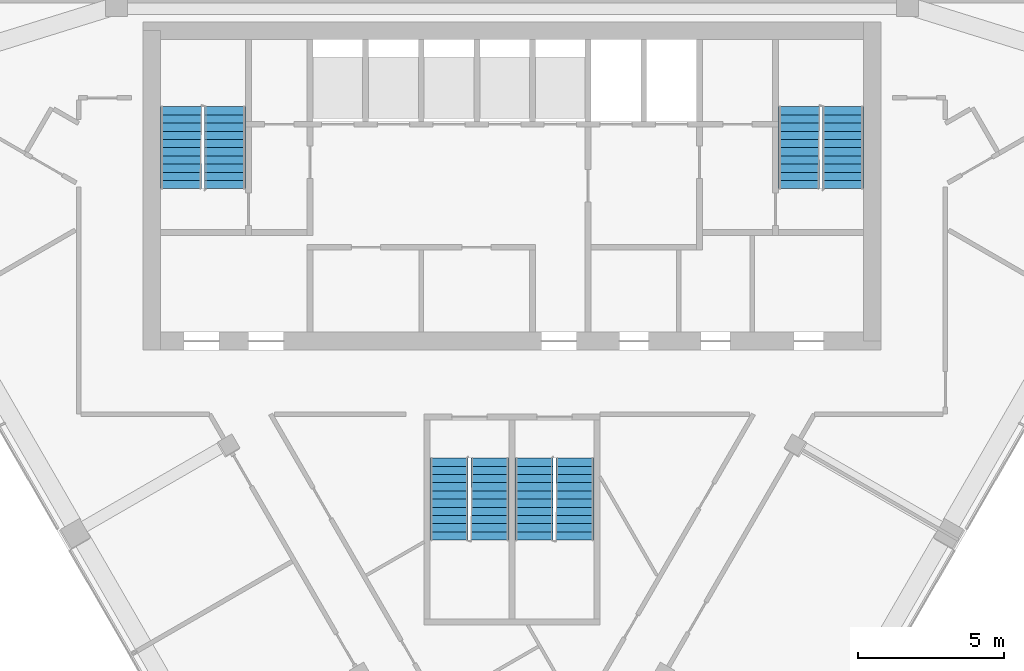
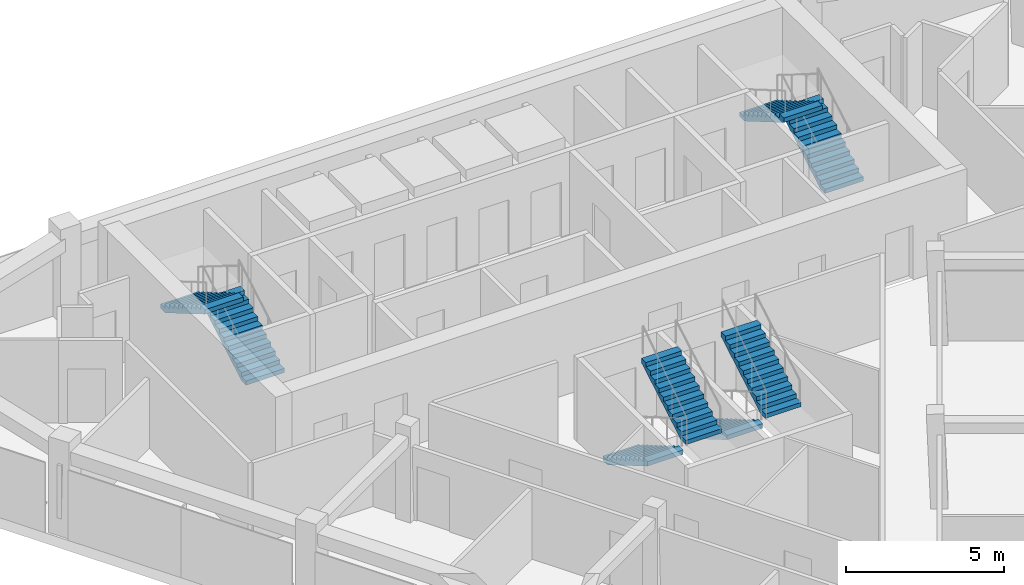
# One storey, part 10 of 12: 8 stair flights, 4 elements without a shape of their own.
"""IFC4 building model written with IfcOpenShell, lengths in metres."""

from ifc_helpers import new_model, si_unit, direction, frame, origin, place, context, subcontext, project, spatial, polyline, outline, extrude, material, type_object, element, aggregate, save


model = new_model("IFC4")

# Units and contexts
model_context = context("Model", 3, precision=1e-05, world=origin(), true_north=direction((0.0, 1.0)))
body_context = subcontext(model_context, "Body", "Model", "MODEL_VIEW")
ifc_project = project(units=[si_unit("LENGTHUNIT", "METRE"), si_unit("AREAUNIT", "SQUARE_METRE"), si_unit("VOLUMEUNIT", "CUBIC_METRE"), si_unit("PLANEANGLEUNIT", "RADIAN"), si_unit("MASSUNIT", "GRAM", prefix="KILO")], contexts=[model_context])

# Site, building, storey
site_placement = place(None, origin())
site = spatial("IfcSite", under=ifc_project, at=site_placement, CompositionType="ELEMENT")
building_placement = place(site_placement, origin())
building = spatial("IfcBuilding", under=site, at=building_placement, Name="Altiplano Prism Tower", CompositionType="ELEMENT")
storey_placement = place(building_placement, frame((0.0, 0.0, 257.199951171875)))
storey = spatial("IfcBuildingStorey", under=building, at=storey_placement, Name="L66", CompositionType="ELEMENT", Elevation=257.199951171875)

# Stair, stair flights
ifc_material = material(Name="Concrete C40/50", Category="concrete")
stair_type_1 = type_object("IfcStairType", Name="Exit stair 1400", PredefinedType="HALF_TURN_STAIR", material=ifc_material)
stair_1_placement = place(storey_placement, origin())
stair_1 = element("IfcStair", 1, at=stair_1_placement, inside=storey, type_object=stair_type_1, Name="L66 Exit Stair 1", PredefinedType="HALF_TURN_STAIR")
stair_flight_type = type_object("IfcStairFlightType", Name="Stair flight concrete 150", PredefinedType="STRAIGHT", material=ifc_material)
stair_flight_1_placement = place(storey_placement, frame((75.199951171875, 98.300048828125, 0.0), z_axis=(0.0, 0.0, 1.0), x_axis=(0.0, 1.0, 0.0)))
stair_flight_1 = element("IfcStairFlight", 2, at=stair_flight_1_placement, type_object=stair_flight_type, Name="ST1 flight 1", NumberOfRisers=11, NumberOfTreads=10, PredefinedType="STRAIGHT", RiserHeight=0.163636364, TreadLength=0.28, context=body_context, shape_type="SweptSolid", body=[
    extrude(outline(polyline([(0.0, 0.0), (0.0, 0.16357421875), (0.280029296875, 0.16357421875), (0.280029296875, 0.327392578125), (0.56005859375, 0.327392578125), (0.56005859375, 0.490966796875), (0.840087890625, 0.490966796875), (0.840087890625, 0.654541015625), (1.1201171875, 0.654541015625), (1.1201171875, 0.818115234375), (1.39990234375, 0.818115234375), (1.39990234375, 0.98193359375), (1.679931640625, 0.98193359375), (1.679931640625, 1.1455078125), (1.9599609375, 1.1455078125), (1.9599609375, 1.30908203125), (2.239990234375, 1.30908203125), (2.239990234375, 1.47265625), (2.52001953125, 1.47265625), (2.52001953125, 1.636474609375), (2.800048828125, 1.636474609375), (2.800048828125, 1.800048828125), (2.800048828125, 1.462646484375), (0.297119140625, 0.0), (0.0, 0.0)])), frame((0.0, 0.699951171875, 0.0), z_axis=(0.0, -1.0, 0.0), x_axis=(1.0, 0.0, 0.0)), (0.0, 0.0, 1.0), 1.39990234375),
])
stair_flight_2_placement = place(storey_placement, frame((73.699951171875, 101.10009765625, 1.800048828125), z_axis=(0.0, 0.0, 1.0), x_axis=(0.0, -1.0, 0.0)))
stair_flight_2 = element("IfcStairFlight", 3, at=stair_flight_2_placement, type_object=stair_flight_type, Name="ST1 flight 2", NumberOfRisers=11, NumberOfTreads=10, PredefinedType="STRAIGHT", RiserHeight=0.163636364, TreadLength=0.28, context=body_context, shape_type="SweptSolid", body=[
    extrude(outline(polyline([(0.0, 0.0), (0.0, 0.16357421875), (0.280029296875, 0.16357421875), (0.280029296875, 0.327392578125), (0.56005859375, 0.327392578125), (0.56005859375, 0.490966796875), (0.840087890625, 0.490966796875), (0.840087890625, 0.654541015625), (1.1201171875, 0.654541015625), (1.1201171875, 0.818115234375), (1.39990234375, 0.818115234375), (1.39990234375, 0.98193359375), (1.679931640625, 0.98193359375), (1.679931640625, 1.1455078125), (1.9599609375, 1.1455078125), (1.9599609375, 1.30908203125), (2.239990234375, 1.30908203125), (2.239990234375, 1.47265625), (2.52001953125, 1.47265625), (2.52001953125, 1.636474609375), (2.800048828125, 1.636474609375), (2.800048828125, 1.800048828125), (2.800048828125, 1.462646484375), (0.297119140625, 0.0), (0.0, 0.0)])), frame((0.0, 0.699951171875, 0.0), z_axis=(0.0, -1.0, 0.0), x_axis=(1.0, 0.0, 0.0)), (0.0, 0.0, 1.0), 1.39990234375),
])
aggregate(stair_1, [stair_flight_1, stair_flight_2])

stair_2_placement = place(storey_placement, origin())
stair_2 = element("IfcStair", 4, at=stair_2_placement, inside=storey, type_object=stair_type_1, Name="L66 Exit Stair 2", PredefinedType="HALF_TURN_STAIR")
stair_flight_3_placement = place(storey_placement, frame((96.300048828125, 98.300048828125, 0.0), z_axis=(0.0, 0.0, 1.0), x_axis=(0.0, 1.0, 0.0)))
stair_flight_3 = element("IfcStairFlight", 5, at=stair_flight_3_placement, type_object=stair_flight_type, Name="ST2 flight 1", NumberOfRisers=11, NumberOfTreads=10, PredefinedType="STRAIGHT", RiserHeight=0.163636364, TreadLength=0.28, context=body_context, shape_type="SweptSolid", body=[
    extrude(outline(polyline([(0.0, 0.0), (0.0, 0.16357421875), (0.280029296875, 0.16357421875), (0.280029296875, 0.327392578125), (0.56005859375, 0.327392578125), (0.56005859375, 0.490966796875), (0.840087890625, 0.490966796875), (0.840087890625, 0.654541015625), (1.1201171875, 0.654541015625), (1.1201171875, 0.818115234375), (1.39990234375, 0.818115234375), (1.39990234375, 0.98193359375), (1.679931640625, 0.98193359375), (1.679931640625, 1.1455078125), (1.9599609375, 1.1455078125), (1.9599609375, 1.30908203125), (2.239990234375, 1.30908203125), (2.239990234375, 1.47265625), (2.52001953125, 1.47265625), (2.52001953125, 1.636474609375), (2.800048828125, 1.636474609375), (2.800048828125, 1.800048828125), (2.800048828125, 1.462646484375), (0.297119140625, 0.0), (0.0, 0.0)])), frame((0.0, 0.699951171875, 0.0), z_axis=(0.0, -1.0, 0.0), x_axis=(1.0, 0.0, 0.0)), (0.0, 0.0, 1.0), 1.39990234375),
])
stair_flight_4_placement = place(storey_placement, frame((94.800048828125, 101.10009765625, 1.800048828125), z_axis=(0.0, 0.0, 1.0), x_axis=(0.0, -1.0, 0.0)))
stair_flight_4 = element("IfcStairFlight", 6, at=stair_flight_4_placement, type_object=stair_flight_type, Name="ST2 flight 2", NumberOfRisers=11, NumberOfTreads=10, PredefinedType="STRAIGHT", RiserHeight=0.163636364, TreadLength=0.28, context=body_context, shape_type="SweptSolid", body=[
    extrude(outline(polyline([(0.0, 0.0), (0.0, 0.16357421875), (0.280029296875, 0.16357421875), (0.280029296875, 0.327392578125), (0.56005859375, 0.327392578125), (0.56005859375, 0.490966796875), (0.840087890625, 0.490966796875), (0.840087890625, 0.654541015625), (1.1201171875, 0.654541015625), (1.1201171875, 0.818115234375), (1.39990234375, 0.818115234375), (1.39990234375, 0.98193359375), (1.679931640625, 0.98193359375), (1.679931640625, 1.1455078125), (1.9599609375, 1.1455078125), (1.9599609375, 1.30908203125), (2.239990234375, 1.30908203125), (2.239990234375, 1.47265625), (2.52001953125, 1.47265625), (2.52001953125, 1.636474609375), (2.800048828125, 1.636474609375), (2.800048828125, 1.800048828125), (2.800048828125, 1.462646484375), (0.297119140625, 0.0), (0.0, 0.0)])), frame((0.0, 0.699951171875, 0.0), z_axis=(0.0, -1.0, 0.0), x_axis=(1.0, 0.0, 0.0)), (0.0, 0.0, 1.0), 1.39990234375),
])
aggregate(stair_2, [stair_flight_3, stair_flight_4])

stair_type_2 = type_object("IfcStairType", Name="Exit stair 1300", PredefinedType="HALF_TURN_STAIR", material=ifc_material)
stair_3_placement = place(storey_placement, origin())
stair_3 = element("IfcStair", 7, at=stair_3_placement, inside=storey, type_object=stair_type_2, Name="L66 Exit Stair 3A", PredefinedType="HALF_TURN_STAIR")
stair_flight_5_placement = place(storey_placement, frame((82.85009765625, 89.10009765625, 0.0), z_axis=(0.0, 0.0, 1.0), x_axis=(0.0, -1.0, 0.0)))
stair_flight_5 = element("IfcStairFlight", 8, at=stair_flight_5_placement, type_object=stair_flight_type, Name="ST3A flight 1", NumberOfRisers=11, NumberOfTreads=10, PredefinedType="STRAIGHT", RiserHeight=0.163636364, TreadLength=0.28, context=body_context, shape_type="SweptSolid", body=[
    extrude(outline(polyline([(0.0, 0.0), (0.0, 0.16357421875), (0.280029296875, 0.16357421875), (0.280029296875, 0.327392578125), (0.56005859375, 0.327392578125), (0.56005859375, 0.490966796875), (0.840087890625, 0.490966796875), (0.840087890625, 0.654541015625), (1.1201171875, 0.654541015625), (1.1201171875, 0.818115234375), (1.39990234375, 0.818115234375), (1.39990234375, 0.98193359375), (1.679931640625, 0.98193359375), (1.679931640625, 1.1455078125), (1.9599609375, 1.1455078125), (1.9599609375, 1.30908203125), (2.239990234375, 1.30908203125), (2.239990234375, 1.47265625), (2.52001953125, 1.47265625), (2.52001953125, 1.636474609375), (2.800048828125, 1.636474609375), (2.800048828125, 1.800048828125), (2.800048828125, 1.462646484375), (0.297119140625, 0.0), (0.0, 0.0)])), frame((0.0, 0.64990234375, 0.0), z_axis=(0.0, -1.0, 0.0), x_axis=(1.0, 0.0, 0.0)), (0.0, 0.0, 1.0), 1.300048828125),
])
stair_flight_6_placement = place(storey_placement, frame((84.25, 86.300048828125, 1.800048828125), z_axis=(0.0, 0.0, 1.0), x_axis=(0.0, 1.0, 0.0)))
stair_flight_6 = element("IfcStairFlight", 9, at=stair_flight_6_placement, type_object=stair_flight_type, Name="ST3A flight 2", NumberOfRisers=11, NumberOfTreads=10, PredefinedType="STRAIGHT", RiserHeight=0.163636364, TreadLength=0.28, context=body_context, shape_type="SweptSolid", body=[
    extrude(outline(polyline([(0.0, 0.0), (0.0, 0.16357421875), (0.280029296875, 0.16357421875), (0.280029296875, 0.327392578125), (0.56005859375, 0.327392578125), (0.56005859375, 0.490966796875), (0.840087890625, 0.490966796875), (0.840087890625, 0.654541015625), (1.1201171875, 0.654541015625), (1.1201171875, 0.818115234375), (1.39990234375, 0.818115234375), (1.39990234375, 0.98193359375), (1.679931640625, 0.98193359375), (1.679931640625, 1.1455078125), (1.9599609375, 1.1455078125), (1.9599609375, 1.30908203125), (2.239990234375, 1.30908203125), (2.239990234375, 1.47265625), (2.52001953125, 1.47265625), (2.52001953125, 1.636474609375), (2.800048828125, 1.636474609375), (2.800048828125, 1.800048828125), (2.800048828125, 1.462646484375), (0.297119140625, 0.0), (0.0, 0.0)])), frame((0.0, 0.64990234375, 0.0), z_axis=(0.0, -1.0, 0.0), x_axis=(1.0, 0.0, 0.0)), (0.0, 0.0, 1.0), 1.300048828125),
])
aggregate(stair_3, [stair_flight_5, stair_flight_6])

stair_4_placement = place(storey_placement, origin())
stair_4 = element("IfcStair", 10, at=stair_4_placement, inside=storey, type_object=stair_type_2, Name="L66 Exit Stair 3B", PredefinedType="HALF_TURN_STAIR")
stair_flight_7_placement = place(storey_placement, frame((85.75, 89.10009765625, 0.0), z_axis=(0.0, 0.0, 1.0), x_axis=(0.0, -1.0, 0.0)))
stair_flight_7 = element("IfcStairFlight", 11, at=stair_flight_7_placement, type_object=stair_flight_type, Name="ST3B flight 1", NumberOfRisers=11, NumberOfTreads=10, PredefinedType="STRAIGHT", RiserHeight=0.163636364, TreadLength=0.28, context=body_context, shape_type="SweptSolid", body=[
    extrude(outline(polyline([(0.0, 0.0), (0.0, 0.16357421875), (0.280029296875, 0.16357421875), (0.280029296875, 0.327392578125), (0.56005859375, 0.327392578125), (0.56005859375, 0.490966796875), (0.840087890625, 0.490966796875), (0.840087890625, 0.654541015625), (1.1201171875, 0.654541015625), (1.1201171875, 0.818115234375), (1.39990234375, 0.818115234375), (1.39990234375, 0.98193359375), (1.679931640625, 0.98193359375), (1.679931640625, 1.1455078125), (1.9599609375, 1.1455078125), (1.9599609375, 1.30908203125), (2.239990234375, 1.30908203125), (2.239990234375, 1.47265625), (2.52001953125, 1.47265625), (2.52001953125, 1.636474609375), (2.800048828125, 1.636474609375), (2.800048828125, 1.800048828125), (2.800048828125, 1.462646484375), (0.297119140625, 0.0), (0.0, 0.0)])), frame((0.0, 0.64990234375, 0.0), z_axis=(0.0, -1.0, 0.0), x_axis=(1.0, 0.0, 0.0)), (0.0, 0.0, 1.0), 1.300048828125),
])
stair_flight_8_placement = place(storey_placement, frame((87.14990234375, 86.300048828125, 1.800048828125), z_axis=(0.0, 0.0, 1.0), x_axis=(0.0, 1.0, 0.0)))
stair_flight_8 = element("IfcStairFlight", 12, at=stair_flight_8_placement, type_object=stair_flight_type, Name="ST3B flight 2", NumberOfRisers=11, NumberOfTreads=10, PredefinedType="STRAIGHT", RiserHeight=0.163636364, TreadLength=0.28, context=body_context, shape_type="SweptSolid", body=[
    extrude(outline(polyline([(0.0, 0.0), (0.0, 0.16357421875), (0.280029296875, 0.16357421875), (0.280029296875, 0.327392578125), (0.56005859375, 0.327392578125), (0.56005859375, 0.490966796875), (0.840087890625, 0.490966796875), (0.840087890625, 0.654541015625), (1.1201171875, 0.654541015625), (1.1201171875, 0.818115234375), (1.39990234375, 0.818115234375), (1.39990234375, 0.98193359375), (1.679931640625, 0.98193359375), (1.679931640625, 1.1455078125), (1.9599609375, 1.1455078125), (1.9599609375, 1.30908203125), (2.239990234375, 1.30908203125), (2.239990234375, 1.47265625), (2.52001953125, 1.47265625), (2.52001953125, 1.636474609375), (2.800048828125, 1.636474609375), (2.800048828125, 1.800048828125), (2.800048828125, 1.462646484375), (0.297119140625, 0.0), (0.0, 0.0)])), frame((0.0, 0.64990234375, 0.0), z_axis=(0.0, -1.0, 0.0), x_axis=(1.0, 0.0, 0.0)), (0.0, 0.0, 1.0), 1.300048828125),
])
aggregate(stair_4, [stair_flight_7, stair_flight_8])

save(model, "model.ifc")
